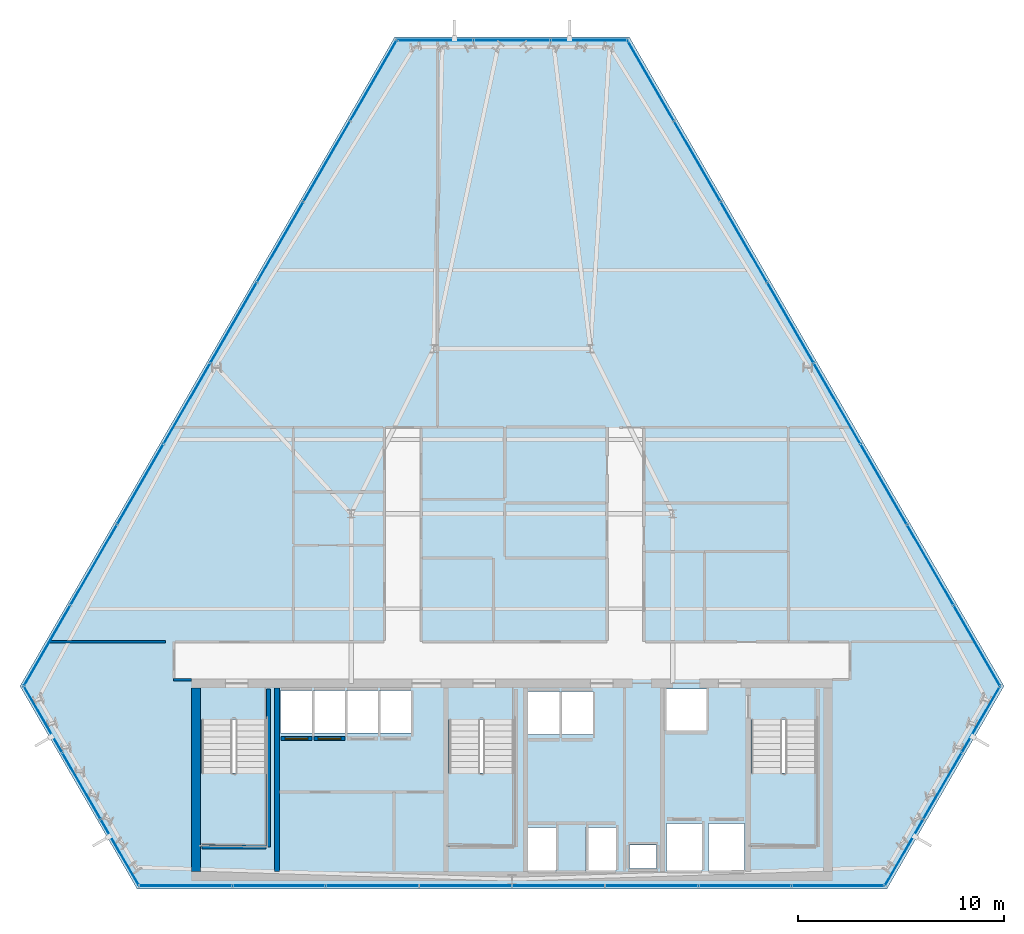
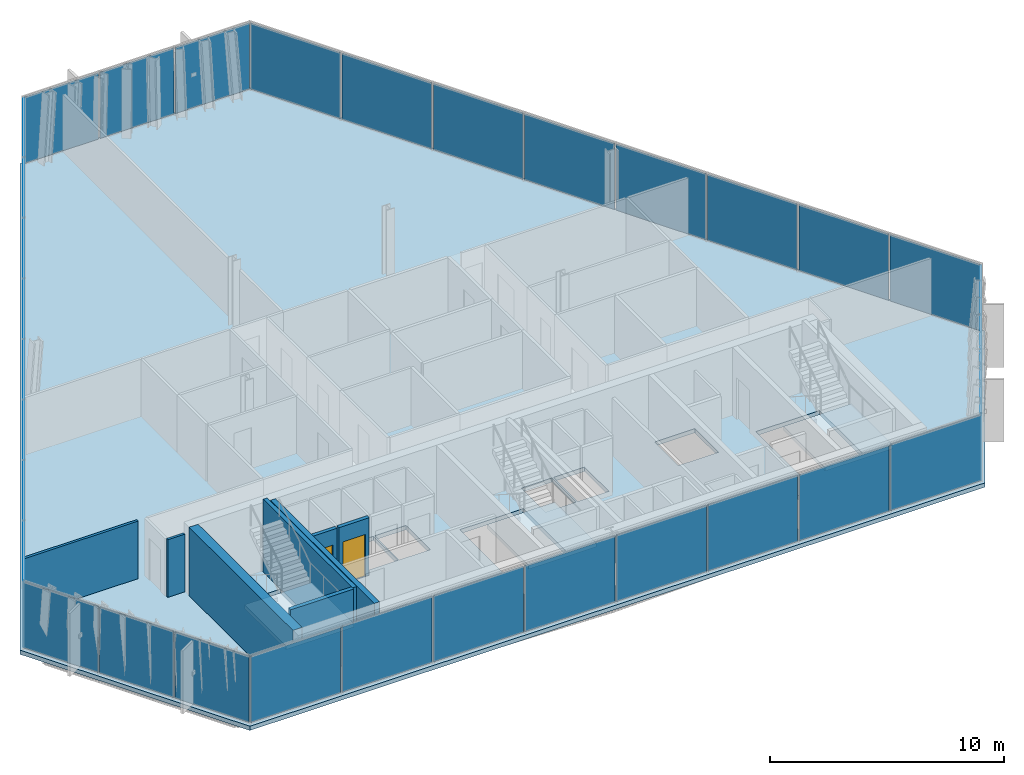
# One storey, part 25 of 32: 33 plates, 8 walls, 4 slabs, 2 doors, 2 openings, 9 elements without a shape of their own.
"""IFC4 building model written with IfcOpenShell, lengths in metres."""

from ifc_helpers import new_model, si_unit, direction, frame, frame_2d, origin, origin_2d, place, context, subcontext, project, spatial, polyline, rectangle, outline, extrude, material, layer, layer_set, type_object, element, fill, aggregate, save


model = new_model("IFC4")

# Units and contexts
model_context = context("Model", 3, precision=1e-05, world=origin(), true_north=direction((0.0, 1.0)))
body_context = subcontext(model_context, "Body", "Model", "MODEL_VIEW")
ifc_project = project(units=[si_unit("LENGTHUNIT", "METRE"), si_unit("AREAUNIT", "SQUARE_METRE"), si_unit("VOLUMEUNIT", "CUBIC_METRE"), si_unit("PLANEANGLEUNIT", "RADIAN"), si_unit("MASSUNIT", "GRAM", prefix="KILO")], contexts=[model_context])

# Site, building, storey
site_placement = place(None, origin())
site = spatial("IfcSite", under=ifc_project, at=site_placement, CompositionType="ELEMENT")
building_placement = place(site_placement, origin())
building = spatial("IfcBuilding", under=site, at=building_placement, Name="Ndaravel Arena Tower", CompositionType="ELEMENT")
storey_placement = place(building_placement, frame((0.0, 0.0, 157.39990234375)))
storey = spatial("IfcBuildingStorey", under=building, at=storey_placement, Name="L37", CompositionType="ELEMENT", Elevation=157.39990234375)

# Curtain wall, plate
ifc_material_1 = material(Name="Aluminium", Category="aluminium")
ifc_layer_1 = layer(ifc_material_1, 0.179931640625)
ifc_layer_set_1 = layer_set([ifc_layer_1], Name="Aluminium")
curtain_wall_type_1 = type_object("IfcCurtainWallType", Name="CW-SYS-01", PredefinedType="NOTDEFINED", material=ifc_layer_set_1)
curtain_wall_1_placement = place(storey_placement, origin())
curtain_wall_1 = element("IfcCurtainWall", 1, at=curtain_wall_1_placement, inside=storey, type_object=curtain_wall_type_1, Name="L37 Faceted Crystal Curtain Wall CW-L37-E02", PredefinedType="NOTDEFINED")
ifc_material_2 = material(Name="Glazing", Category="glass")
ifc_layer_2 = layer(ifc_material_2, 0.035888671875)
ifc_layer_set_2 = layer_set([ifc_layer_2], Name="Glazing")
plate_type_1 = type_object("IfcPlateType", Name="PLT-CW-OPVENT", PredefinedType="CURTAIN_PANEL", material=ifc_layer_set_2)
plate_1_placement = place(storey_placement, frame((62.87158203125, 10.002685546875, 0.06005859375), z_axis=(0.0, 0.0, 1.0), x_axis=(0.5, 0.866025403784, 0.0)))
plate_1 = element("IfcPlate", 2, at=plate_1_placement, type_object=plate_type_1, Name="CW-L37-E02 Operable Vent Sash Panel 02", PredefinedType="CURTAIN_PANEL", context=body_context, shape_type="SweptSolid", body=[
    extrude(rectangle(XDim=3.64794921875, YDim=0.035888671875, at=origin_2d()), origin(), (0.0, 0.0, 1.0), 3.4599609375),
])

curtain_wall_2_placement = place(storey_placement, origin())
curtain_wall_2 = element("IfcCurtainWall", 3, at=curtain_wall_2_placement, inside=storey, type_object=curtain_wall_type_1, Name="L37 Faceted Crystal Curtain Wall CW-L37-E04", PredefinedType="NOTDEFINED")
plate_2_placement = place(storey_placement, frame((42.0, 46.15380859375, 0.06005859375), z_axis=(0.0, 0.0, 1.0), x_axis=(-1.0, 0.0, 0.0)))
plate_2 = element("IfcPlate", 4, at=plate_2_placement, type_object=plate_type_1, Name="CW-L37-E04 Operable Vent Sash Panel 02", PredefinedType="CURTAIN_PANEL", context=body_context, shape_type="SweptSolid", body=[
    extrude(rectangle(XDim=3.64794921875, YDim=0.035888671875, at=origin_2d()), origin(), (0.0, 0.0, 1.0), 3.4599609375),
])

ifc_material_3 = material(Name="Aluminium", Category="aluminium")
ifc_layer_3 = layer(ifc_material_3, 0.179931640625)
ifc_layer_set_3 = layer_set([ifc_layer_3], Name="Aluminium")
curtain_wall_type_2 = type_object("IfcCurtainWallType", Name="CW-SYS-02", PredefinedType="NOTDEFINED", material=ifc_layer_set_3)
curtain_wall_3_placement = place(storey_placement, origin())
curtain_wall_3 = element("IfcCurtainWall", 5, at=curtain_wall_3_placement, inside=storey, type_object=curtain_wall_type_2, Name="L37 Faceted Crystal Curtain Wall CW-L37-E06", PredefinedType="NOTDEFINED")
plate_3_placement = place(storey_placement, frame((21.12841796875, 10.002685546875, 0.06005859375), z_axis=(0.0, 0.0, 1.0), x_axis=(0.5, -0.866025403784, 0.0)))
plate_3 = element("IfcPlate", 6, at=plate_3_placement, type_object=plate_type_1, Name="CW-L37-E06 Operable Vent Sash Panel 02", PredefinedType="CURTAIN_PANEL", context=body_context, shape_type="SweptSolid", body=[
    extrude(rectangle(XDim=3.64794921875, YDim=0.035888671875, at=origin_2d()), origin(), (0.0, 0.0, 1.0), 3.4599609375),
])

# Plate
ifc_material_4 = material(Name="Glazing", Category="glass")
ifc_layer_4 = layer(ifc_material_4, 0.031982421875)
ifc_layer_set_4 = layer_set([ifc_layer_4], Name="Glazing")
plate_type_2 = type_object("IfcPlateType", Name="PLT-GLZ-FRIT35", PredefinedType="CURTAIN_PANEL", material=ifc_layer_set_4)
plate_4_placement = place(storey_placement, frame((61.0078125, 6.774169921875, 0.06005859375), z_axis=(0.0, 0.0, 1.0), x_axis=(0.5, 0.866025403784, 0.0)))
plate_4 = element("IfcPlate", 7, at=plate_4_placement, type_object=plate_type_2, Name="CW-L37-E02 Vision Glass Panel 01", PredefinedType="CURTAIN_PANEL", context=body_context, shape_type="SweptSolid", body=[
    extrude(rectangle(XDim=3.64794921875, YDim=0.035888671875, at=origin_2d()), origin(), (0.0, 0.0, 1.0), 3.4599609375),
])

plate_5_placement = place(storey_placement, frame((64.735595703125, 13.231201171875, 0.06005859375), z_axis=(0.0, 0.0, 1.0), x_axis=(0.5, 0.866025403784, 0.0)))
plate_5 = element("IfcPlate", 8, at=plate_5_placement, type_object=plate_type_2, Name="CW-L37-E02 Vision Glass Panel 03", PredefinedType="CURTAIN_PANEL", context=body_context, shape_type="SweptSolid", body=[
    extrude(rectangle(XDim=3.64794921875, YDim=0.035888671875, at=origin_2d()), origin(), (0.0, 0.0, 1.0), 3.4599609375),
])

aggregate(curtain_wall_1, [plate_4, plate_1, plate_5])

plate_6_placement = place(storey_placement, frame((45.727783203125, 46.15380859375, 0.06005859375), z_axis=(0.0, 0.0, 1.0), x_axis=(-1.0, 0.0, 0.0)))
plate_6 = element("IfcPlate", 9, at=plate_6_placement, type_object=plate_type_2, Name="CW-L37-E04 Vision Glass Panel 01", PredefinedType="CURTAIN_PANEL", context=body_context, shape_type="SweptSolid", body=[
    extrude(rectangle(XDim=3.64794921875, YDim=0.035888671875, at=origin_2d()), origin(), (0.0, 0.0, 1.0), 3.4599609375),
])

plate_7_placement = place(storey_placement, frame((38.272216796875, 46.15380859375, 0.06005859375), z_axis=(0.0, 0.0, 1.0), x_axis=(-1.0, 0.0, 0.0)))
plate_7 = element("IfcPlate", 10, at=plate_7_placement, type_object=plate_type_2, Name="CW-L37-E04 Vision Glass Panel 03", PredefinedType="CURTAIN_PANEL", context=body_context, shape_type="SweptSolid", body=[
    extrude(rectangle(XDim=3.64794921875, YDim=0.035888671875, at=origin_2d()), origin(), (0.0, 0.0, 1.0), 3.4599609375),
])

aggregate(curtain_wall_2, [plate_6, plate_2, plate_7])

ifc_material_5 = material(Name="Glazing", Category="glass")
ifc_layer_5 = layer(ifc_material_5, 0.035888671875)
ifc_layer_set_5 = layer_set([ifc_layer_5], Name="Glazing")
plate_type_3 = type_object("IfcPlateType", Name="PLT-GLZ-FRIT55", PredefinedType="CURTAIN_PANEL", material=ifc_layer_set_5)
plate_8_placement = place(storey_placement, frame((19.264404296875, 13.231201171875, 0.06005859375), z_axis=(0.0, 0.0, 1.0), x_axis=(0.5, -0.866025403784, 0.0)))
plate_8 = element("IfcPlate", 11, at=plate_8_placement, type_object=plate_type_3, Name="CW-L37-E06 Vision Glass Panel 01", PredefinedType="CURTAIN_PANEL", context=body_context, shape_type="SweptSolid", body=[
    extrude(rectangle(XDim=3.64794921875, YDim=0.035888671875, at=origin_2d()), origin(), (0.0, 0.0, 1.0), 3.4599609375),
])

plate_9_placement = place(storey_placement, frame((22.9921875, 6.774169921875, 0.06005859375), z_axis=(0.0, 0.0, 1.0), x_axis=(0.5, -0.866025403784, 0.0)))
plate_9 = element("IfcPlate", 12, at=plate_9_placement, type_object=plate_type_3, Name="CW-L37-E06 Vision Glass Panel 03", PredefinedType="CURTAIN_PANEL", context=body_context, shape_type="SweptSolid", body=[
    extrude(rectangle(XDim=3.64794921875, YDim=0.035888671875, at=origin_2d()), origin(), (0.0, 0.0, 1.0), 3.4599609375),
])

aggregate(curtain_wall_3, [plate_8, plate_3, plate_9])

# Curtain wall, plates
ifc_material_6 = material(Name="Aluminium", Category="aluminium")
ifc_layer_6 = layer(ifc_material_6, 0.179931640625)
ifc_layer_set_6 = layer_set([ifc_layer_6], Name="Aluminium")
curtain_wall_type_3 = type_object("IfcCurtainWallType", Name="CW-SYS-03", PredefinedType="NOTDEFINED", material=ifc_layer_set_6)
curtain_wall_4_placement = place(storey_placement, origin())
curtain_wall_4 = element("IfcCurtainWall", 13, at=curtain_wall_4_placement, inside=storey, type_object=curtain_wall_type_3, Name="L37 Faceted Crystal Curtain Wall CW-L37-E01", PredefinedType="NOTDEFINED")
ifc_material_7 = material(Name="Glazing", Category="glass")
ifc_layer_7 = layer(ifc_material_7, 0.0400390625)
ifc_layer_set_7 = layer_set([ifc_layer_7], Name="Glazing")
plate_type_4 = type_object("IfcPlateType", Name="PLT-GLZ-LOWIRON", PredefinedType="CURTAIN_PANEL", material=ifc_layer_set_7)
plate_10_placement = place(storey_placement, frame((26.18359375, 5.159912109375, 0.06005859375), z_axis=(0.0, 0.0, 1.0), x_axis=(1.0, 0.0, 0.0)))
plate_10 = element("IfcPlate", 14, at=plate_10_placement, type_object=plate_type_4, Name="CW-L37-E01 Vision Glass Panel 01", PredefinedType="CURTAIN_PANEL", context=body_context, shape_type="SweptSolid", body=[
    extrude(rectangle(XDim=4.43896484375, YDim=0.035888671875, at=origin_2d()), origin(), (0.0, 0.0, 1.0), 3.4599609375),
])
plate_11_placement = place(storey_placement, frame((30.70263671875, 5.159912109375, 0.06005859375), z_axis=(0.0, 0.0, 1.0), x_axis=(1.0, 0.0, 0.0)))
plate_11 = element("IfcPlate", 15, at=plate_11_placement, type_object=plate_type_4, Name="CW-L37-E01 Vision Glass Panel 02", PredefinedType="CURTAIN_PANEL", context=body_context, shape_type="SweptSolid", body=[
    extrude(rectangle(XDim=4.43896484375, YDim=0.035888671875, at=origin_2d()), origin(), (0.0, 0.0, 1.0), 3.4599609375),
])
plate_12_placement = place(storey_placement, frame((35.2216796875, 5.159912109375, 0.06005859375), z_axis=(0.0, 0.0, 1.0), x_axis=(1.0, 0.0, 0.0)))
plate_12 = element("IfcPlate", 16, at=plate_12_placement, type_object=plate_type_4, Name="CW-L37-E01 Vision Glass Panel 03", PredefinedType="CURTAIN_PANEL", context=body_context, shape_type="SweptSolid", body=[
    extrude(rectangle(XDim=4.43896484375, YDim=0.035888671875, at=origin_2d()), origin(), (0.0, 0.0, 1.0), 3.4599609375),
])
plate_13_placement = place(storey_placement, frame((39.740478515625, 5.159912109375, 0.06005859375), z_axis=(0.0, 0.0, 1.0), x_axis=(1.0, 0.0, 0.0)))
plate_13 = element("IfcPlate", 17, at=plate_13_placement, type_object=plate_type_4, Name="CW-L37-E01 Vision Glass Panel 04", PredefinedType="CURTAIN_PANEL", context=body_context, shape_type="SweptSolid", body=[
    extrude(rectangle(XDim=4.43896484375, YDim=0.035888671875, at=origin_2d()), origin(), (0.0, 0.0, 1.0), 3.4599609375),
])
plate_14_placement = place(storey_placement, frame((44.259521484375, 5.159912109375, 0.06005859375), z_axis=(0.0, 0.0, 1.0), x_axis=(1.0, 0.0, 0.0)))
plate_14 = element("IfcPlate", 18, at=plate_14_placement, type_object=plate_type_4, Name="CW-L37-E01 Vision Glass Panel 05", PredefinedType="CURTAIN_PANEL", context=body_context, shape_type="SweptSolid", body=[
    extrude(rectangle(XDim=4.43896484375, YDim=0.035888671875, at=origin_2d()), origin(), (0.0, 0.0, 1.0), 3.4599609375),
])
plate_15_placement = place(storey_placement, frame((48.7783203125, 5.159912109375, 0.06005859375), z_axis=(0.0, 0.0, 1.0), x_axis=(1.0, 0.0, 0.0)))
plate_15 = element("IfcPlate", 19, at=plate_15_placement, type_object=plate_type_4, Name="CW-L37-E01 Vision Glass Panel 06", PredefinedType="CURTAIN_PANEL", context=body_context, shape_type="SweptSolid", body=[
    extrude(rectangle(XDim=4.43896484375, YDim=0.035888671875, at=origin_2d()), origin(), (0.0, 0.0, 1.0), 3.4599609375),
])
plate_16_placement = place(storey_placement, frame((53.29736328125, 5.159912109375, 0.06005859375), z_axis=(0.0, 0.0, 1.0), x_axis=(1.0, 0.0, 0.0)))
plate_16 = element("IfcPlate", 20, at=plate_16_placement, type_object=plate_type_4, Name="CW-L37-E01 Vision Glass Panel 07", PredefinedType="CURTAIN_PANEL", context=body_context, shape_type="SweptSolid", body=[
    extrude(rectangle(XDim=4.43896484375, YDim=0.035888671875, at=origin_2d()), origin(), (0.0, 0.0, 1.0), 3.4599609375),
])
plate_17_placement = place(storey_placement, frame((57.81640625, 5.159912109375, 0.06005859375), z_axis=(0.0, 0.0, 1.0), x_axis=(1.0, 0.0, 0.0)))
plate_17 = element("IfcPlate", 21, at=plate_17_placement, type_object=plate_type_4, Name="CW-L37-E01 Vision Glass Panel 08", PredefinedType="CURTAIN_PANEL", context=body_context, shape_type="SweptSolid", body=[
    extrude(rectangle(XDim=4.43896484375, YDim=0.035888671875, at=origin_2d()), origin(), (0.0, 0.0, 1.0), 3.4599609375),
])
aggregate(curtain_wall_4, [plate_10, plate_11, plate_12, plate_13, plate_14, plate_15, plate_16, plate_17])

curtain_wall_5_placement = place(storey_placement, origin())
curtain_wall_5 = element("IfcCurtainWall", 22, at=curtain_wall_5_placement, inside=storey, type_object=curtain_wall_type_3, Name="L37 Faceted Crystal Curtain Wall CW-L37-E03", PredefinedType="NOTDEFINED")
plate_18_placement = place(storey_placement, frame((64.5380859375, 16.80224609375, 0.06005859375), z_axis=(0.0, 0.0, 1.0), x_axis=(-0.5, 0.866025403784, 0.0)))
plate_18 = element("IfcPlate", 23, at=plate_18_placement, type_object=plate_type_4, Name="CW-L37-E03 Vision Glass Panel 01", PredefinedType="CURTAIN_PANEL", context=body_context, shape_type="SweptSolid", body=[
    extrude(rectangle(XDim=4.43896484375, YDim=0.035888671875, at=origin_2d()), origin(), (0.0, 0.0, 1.0), 3.4599609375),
])
plate_19_placement = place(storey_placement, frame((62.278564453125, 20.7158203125, 0.06005859375), z_axis=(0.0, 0.0, 1.0), x_axis=(-0.5, 0.866025403784, 0.0)))
plate_19 = element("IfcPlate", 24, at=plate_19_placement, type_object=plate_type_4, Name="CW-L37-E03 Vision Glass Panel 02", PredefinedType="CURTAIN_PANEL", context=body_context, shape_type="SweptSolid", body=[
    extrude(rectangle(XDim=4.43896484375, YDim=0.035888671875, at=origin_2d()), origin(), (0.0, 0.0, 1.0), 3.4599609375),
])
plate_20_placement = place(storey_placement, frame((60.01904296875, 24.629150390625, 0.06005859375), z_axis=(0.0, 0.0, 1.0), x_axis=(-0.5, 0.866025403784, 0.0)))
plate_20 = element("IfcPlate", 25, at=plate_20_placement, type_object=plate_type_4, Name="CW-L37-E03 Vision Glass Panel 03", PredefinedType="CURTAIN_PANEL", context=body_context, shape_type="SweptSolid", body=[
    extrude(rectangle(XDim=4.43896484375, YDim=0.035888671875, at=origin_2d()), origin(), (0.0, 0.0, 1.0), 3.4599609375),
])
plate_21_placement = place(storey_placement, frame((57.759521484375, 28.542724609375, 0.06005859375), z_axis=(0.0, 0.0, 1.0), x_axis=(-0.5, 0.866025403784, 0.0)))
plate_21 = element("IfcPlate", 26, at=plate_21_placement, type_object=plate_type_4, Name="CW-L37-E03 Vision Glass Panel 04", PredefinedType="CURTAIN_PANEL", context=body_context, shape_type="SweptSolid", body=[
    extrude(rectangle(XDim=4.43896484375, YDim=0.035888671875, at=origin_2d()), origin(), (0.0, 0.0, 1.0), 3.4599609375),
])
plate_22_placement = place(storey_placement, frame((55.5, 32.456298828125, 0.06005859375), z_axis=(0.0, 0.0, 1.0), x_axis=(-0.5, 0.866025403784, 0.0)))
plate_22 = element("IfcPlate", 27, at=plate_22_placement, type_object=plate_type_4, Name="CW-L37-E03 Vision Glass Panel 05", PredefinedType="CURTAIN_PANEL", context=body_context, shape_type="SweptSolid", body=[
    extrude(rectangle(XDim=4.43896484375, YDim=0.035888671875, at=origin_2d()), origin(), (0.0, 0.0, 1.0), 3.4599609375),
])
plate_23_placement = place(storey_placement, frame((53.240478515625, 36.369873046875, 0.06005859375), z_axis=(0.0, 0.0, 1.0), x_axis=(-0.5, 0.866025403784, 0.0)))
plate_23 = element("IfcPlate", 28, at=plate_23_placement, type_object=plate_type_4, Name="CW-L37-E03 Vision Glass Panel 06", PredefinedType="CURTAIN_PANEL", context=body_context, shape_type="SweptSolid", body=[
    extrude(rectangle(XDim=4.43896484375, YDim=0.035888671875, at=origin_2d()), origin(), (0.0, 0.0, 1.0), 3.4599609375),
])
plate_24_placement = place(storey_placement, frame((50.981201171875, 40.283447265625, 0.06005859375), z_axis=(0.0, 0.0, 1.0), x_axis=(-0.5, 0.866025403784, 0.0)))
plate_24 = element("IfcPlate", 29, at=plate_24_placement, type_object=plate_type_4, Name="CW-L37-E03 Vision Glass Panel 07", PredefinedType="CURTAIN_PANEL", context=body_context, shape_type="SweptSolid", body=[
    extrude(rectangle(XDim=4.43896484375, YDim=0.035888671875, at=origin_2d()), origin(), (0.0, 0.0, 1.0), 3.4599609375),
])
plate_25_placement = place(storey_placement, frame((48.7216796875, 44.197021484375, 0.06005859375), z_axis=(0.0, 0.0, 1.0), x_axis=(-0.5, 0.866025403784, 0.0)))
plate_25 = element("IfcPlate", 30, at=plate_25_placement, type_object=plate_type_4, Name="CW-L37-E03 Vision Glass Panel 08", PredefinedType="CURTAIN_PANEL", context=body_context, shape_type="SweptSolid", body=[
    extrude(rectangle(XDim=4.43896484375, YDim=0.035888671875, at=origin_2d()), origin(), (0.0, 0.0, 1.0), 3.4599609375),
])
aggregate(curtain_wall_5, [plate_18, plate_19, plate_20, plate_21, plate_22, plate_23, plate_24, plate_25])

curtain_wall_6_placement = place(storey_placement, origin())
curtain_wall_6 = element("IfcCurtainWall", 31, at=curtain_wall_6_placement, inside=storey, type_object=curtain_wall_type_3, Name="L37 Faceted Crystal Curtain Wall CW-L37-E05", PredefinedType="NOTDEFINED")
plate_26_placement = place(storey_placement, frame((35.2783203125, 44.197021484375, 0.06005859375), z_axis=(0.0, 0.0, 1.0), x_axis=(-0.5, -0.866025403784, 0.0)))
plate_26 = element("IfcPlate", 32, at=plate_26_placement, type_object=plate_type_4, Name="CW-L37-E05 Vision Glass Panel 01", PredefinedType="CURTAIN_PANEL", context=body_context, shape_type="SweptSolid", body=[
    extrude(rectangle(XDim=4.43896484375, YDim=0.035888671875, at=origin_2d()), origin(), (0.0, 0.0, 1.0), 3.4599609375),
])
plate_27_placement = place(storey_placement, frame((33.018798828125, 40.283447265625, 0.06005859375), z_axis=(0.0, 0.0, 1.0), x_axis=(-0.5, -0.866025403784, 0.0)))
plate_27 = element("IfcPlate", 33, at=plate_27_placement, type_object=plate_type_4, Name="CW-L37-E05 Vision Glass Panel 02", PredefinedType="CURTAIN_PANEL", context=body_context, shape_type="SweptSolid", body=[
    extrude(rectangle(XDim=4.43896484375, YDim=0.035888671875, at=origin_2d()), origin(), (0.0, 0.0, 1.0), 3.4599609375),
])
plate_28_placement = place(storey_placement, frame((30.759521484375, 36.369873046875, 0.06005859375), z_axis=(0.0, 0.0, 1.0), x_axis=(-0.5, -0.866025403784, 0.0)))
plate_28 = element("IfcPlate", 34, at=plate_28_placement, type_object=plate_type_4, Name="CW-L37-E05 Vision Glass Panel 03", PredefinedType="CURTAIN_PANEL", context=body_context, shape_type="SweptSolid", body=[
    extrude(rectangle(XDim=4.43896484375, YDim=0.035888671875, at=origin_2d()), origin(), (0.0, 0.0, 1.0), 3.4599609375),
])
plate_29_placement = place(storey_placement, frame((28.5, 32.456298828125, 0.06005859375), z_axis=(0.0, 0.0, 1.0), x_axis=(-0.5, -0.866025403784, 0.0)))
plate_29 = element("IfcPlate", 35, at=plate_29_placement, type_object=plate_type_4, Name="CW-L37-E05 Vision Glass Panel 04", PredefinedType="CURTAIN_PANEL", context=body_context, shape_type="SweptSolid", body=[
    extrude(rectangle(XDim=4.43896484375, YDim=0.035888671875, at=origin_2d()), origin(), (0.0, 0.0, 1.0), 3.4599609375),
])
plate_30_placement = place(storey_placement, frame((26.240478515625, 28.542724609375, 0.06005859375), z_axis=(0.0, 0.0, 1.0), x_axis=(-0.5, -0.866025403784, 0.0)))
plate_30 = element("IfcPlate", 36, at=plate_30_placement, type_object=plate_type_4, Name="CW-L37-E05 Vision Glass Panel 05", PredefinedType="CURTAIN_PANEL", context=body_context, shape_type="SweptSolid", body=[
    extrude(rectangle(XDim=4.43896484375, YDim=0.035888671875, at=origin_2d()), origin(), (0.0, 0.0, 1.0), 3.4599609375),
])
plate_31_placement = place(storey_placement, frame((23.98095703125, 24.629150390625, 0.06005859375), z_axis=(0.0, 0.0, 1.0), x_axis=(-0.5, -0.866025403784, 0.0)))
plate_31 = element("IfcPlate", 37, at=plate_31_placement, type_object=plate_type_4, Name="CW-L37-E05 Vision Glass Panel 06", PredefinedType="CURTAIN_PANEL", context=body_context, shape_type="SweptSolid", body=[
    extrude(rectangle(XDim=4.43896484375, YDim=0.035888671875, at=origin_2d()), origin(), (0.0, 0.0, 1.0), 3.4599609375),
])
plate_32_placement = place(storey_placement, frame((21.721435546875, 20.7158203125, 0.06005859375), z_axis=(0.0, 0.0, 1.0), x_axis=(-0.5, -0.866025403784, 0.0)))
plate_32 = element("IfcPlate", 38, at=plate_32_placement, type_object=plate_type_4, Name="CW-L37-E05 Vision Glass Panel 07", PredefinedType="CURTAIN_PANEL", context=body_context, shape_type="SweptSolid", body=[
    extrude(rectangle(XDim=4.43896484375, YDim=0.035888671875, at=origin_2d()), origin(), (0.0, 0.0, 1.0), 3.4599609375),
])
plate_33_placement = place(storey_placement, frame((19.4619140625, 16.80224609375, 0.06005859375), z_axis=(0.0, 0.0, 1.0), x_axis=(-0.5, -0.866025403784, 0.0)))
plate_33 = element("IfcPlate", 39, at=plate_33_placement, type_object=plate_type_4, Name="CW-L37-E05 Vision Glass Panel 08", PredefinedType="CURTAIN_PANEL", context=body_context, shape_type="SweptSolid", body=[
    extrude(rectangle(XDim=4.43896484375, YDim=0.035888671875, at=origin_2d()), origin(), (0.0, 0.0, 1.0), 3.4599609375),
])
aggregate(curtain_wall_6, [plate_26, plate_27, plate_28, plate_29, plate_30, plate_31, plate_32, plate_33])

# Stair, slab
ifc_material_8 = material(Name="Concrete C40/50", Category="concrete")
stair_type = type_object("IfcStairType", Name="STAIR-CORE-HT", PredefinedType="HALF_TURN_STAIR", material=ifc_material_8)
stair_1_placement = place(storey_placement, origin())
stair_1 = element("IfcStair", 40, at=stair_1_placement, inside=storey, type_object=stair_type, Name="L37 ST-1", PredefinedType="HALF_TURN_STAIR")
ifc_material_9 = material(Name="Concrete C40/50", Category="concrete")
ifc_layer_8 = layer(ifc_material_9, 0.199951171875)
ifc_layer_set_8 = layer_set([ifc_layer_8], Name="Concrete C40/50")
slab_type_1 = type_object("IfcSlabType", Name="SLAB-STAIR-LANDING", PredefinedType="LANDING", material=ifc_layer_set_8)
slab_1_placement = place(storey_placement, frame((0.0, 0.0, 1.7001953125)))
slab_1 = element("IfcSlab", 41, at=slab_1_placement, type_object=slab_type_1, Name="ST-1 landing 1", PredefinedType="LANDING", context=body_context, shape_type="SweptSolid", body=[
    extrude(outline(polyline([(26.81005859375, 10.6298828125), (26.81005859375, 7.070068359375), (30.169921875, 7.070068359375), (30.169921875, 10.6298828125), (26.81005859375, 10.6298828125)])), origin(), (0.0, 0.0, 1.0), 0.199951171875),
])
aggregate(stair_1, [slab_1])

stair_2_placement = place(storey_placement, origin())
stair_2 = element("IfcStair", 42, at=stair_2_placement, inside=storey, type_object=stair_type, Name="L37 ST-2", PredefinedType="HALF_TURN_STAIR")
slab_2_placement = place(storey_placement, frame((0.0, 0.0, 1.7001953125)))
slab_2 = element("IfcSlab", 43, at=slab_2_placement, type_object=slab_type_1, Name="ST-2 landing 1", PredefinedType="LANDING", context=body_context, shape_type="SweptSolid", body=[
    extrude(outline(polyline([(38.81005859375, 10.6298828125), (38.81005859375, 7.070068359375), (42.169921875, 7.070068359375), (42.169921875, 10.6298828125), (38.81005859375, 10.6298828125)])), origin(), (0.0, 0.0, 1.0), 0.199951171875),
])
aggregate(stair_2, [slab_2])

stair_3_placement = place(storey_placement, origin())
stair_3 = element("IfcStair", 44, at=stair_3_placement, inside=storey, type_object=stair_type, Name="L37 ST-3", PredefinedType="HALF_TURN_STAIR")
slab_3_placement = place(storey_placement, frame((0.0, 0.0, 1.7001953125)))
slab_3 = element("IfcSlab", 45, at=slab_3_placement, type_object=slab_type_1, Name="ST-3 landing 1", PredefinedType="LANDING", context=body_context, shape_type="SweptSolid", body=[
    extrude(outline(polyline([(53.4599609375, 10.6298828125), (53.4599609375, 7.070068359375), (56.820068359375, 7.070068359375), (56.820068359375, 10.6298828125), (53.4599609375, 10.6298828125)])), origin(), (0.0, 0.0, 1.0), 0.199951171875),
])
aggregate(stair_3, [slab_3])

# Slab
ifc_material_10 = material(Name="Concrete C40/50", Category="concrete")
ifc_layer_9 = layer(ifc_material_10, 0.219970703125)
ifc_layer_set_9 = layer_set([ifc_layer_9], Name="Concrete C40/50")
slab_type_2 = type_object("IfcSlabType", Name="SLAB-TWR-220", PredefinedType="FLOOR", material=ifc_layer_set_9)
slab_4_placement = place(storey_placement, frame((0.0, 0.0, -0.219970703125)))
element("IfcSlab", 46, at=slab_4_placement, inside=storey, type_object=slab_type_2, Name="L37 Structural Floor Slab", PredefinedType="FLOOR", context=body_context, shape_type="SweptSolid", body=[
    extrude(outline(polyline([(18.1474609375, 14.845458984375), (23.831787109375, 5.0), (60.168212890625, 5.0), (65.8525390625, 14.845458984375), (47.684326171875, 46.313720703125), (36.315673828125, 46.313720703125), (18.1474609375, 14.845458984375)]), holes=[polyline([(26.949951171875, 13.215087890625), (26.949951171875, 7.14990234375), (30.090087890625, 7.14990234375), (30.090087890625, 13.215087890625), (26.949951171875, 13.215087890625)]), polyline([(38.949951171875, 13.215087890625), (38.949951171875, 7.14990234375), (42.090087890625, 7.14990234375), (42.090087890625, 13.215087890625), (38.949951171875, 13.215087890625)]), polyline([(53.60009765625, 13.215087890625), (53.60009765625, 7.14990234375), (56.739990234375, 7.14990234375), (56.739990234375, 13.215087890625), (53.60009765625, 13.215087890625)]), polyline([(30.784912109375, 12.56005859375), (32.31494140625, 12.56005859375), (32.31494140625, 14.639892578125), (30.784912109375, 14.639892578125), (30.784912109375, 12.56005859375)]), polyline([(32.385009765625, 12.56005859375), (33.9150390625, 12.56005859375), (33.9150390625, 14.639892578125), (32.385009765625, 14.639892578125), (32.385009765625, 12.56005859375)]), polyline([(33.985107421875, 12.56005859375), (35.514892578125, 12.56005859375), (35.514892578125, 14.639892578125), (33.985107421875, 14.639892578125), (33.985107421875, 12.56005859375)]), polyline([(35.5849609375, 12.56005859375), (37.114990234375, 12.56005859375), (37.114990234375, 14.639892578125), (35.5849609375, 14.639892578125), (35.5849609375, 12.56005859375)]), polyline([(42.659912109375, 5.909912109375), (44.139892578125, 5.909912109375), (44.139892578125, 7.989990234375), (42.659912109375, 7.989990234375), (42.659912109375, 5.909912109375)]), polyline([(45.56005859375, 5.909912109375), (47.0400390625, 5.909912109375), (47.0400390625, 7.989990234375), (45.56005859375, 7.989990234375), (45.56005859375, 5.909912109375)]), polyline([(42.784912109375, 12.510009765625), (44.31494140625, 12.510009765625), (44.31494140625, 14.590087890625), (42.784912109375, 14.590087890625), (42.784912109375, 12.510009765625)]), polyline([(44.385009765625, 12.510009765625), (45.9150390625, 12.510009765625), (45.9150390625, 14.590087890625), (44.385009765625, 14.590087890625), (44.385009765625, 12.510009765625)]), polyline([(49.485107421875, 5.909912109375), (51.215087890625, 5.909912109375), (51.215087890625, 8.18994140625), (49.485107421875, 8.18994140625), (49.485107421875, 5.909912109375)]), polyline([(51.534912109375, 5.909912109375), (53.264892578125, 5.909912109375), (53.264892578125, 8.18994140625), (51.534912109375, 8.18994140625), (51.534912109375, 5.909912109375)]), polyline([(49.4599609375, 12.68505859375), (51.43994140625, 12.68505859375), (51.43994140625, 14.715087890625), (49.4599609375, 14.715087890625), (49.4599609375, 12.68505859375)]), polyline([(47.699951171875, 6.0), (49.0, 6.0), (49.0, 7.139892578125), (47.699951171875, 7.139892578125), (47.699951171875, 6.0)])]), origin(), (0.0, 0.0, 1.0), 0.219970703125),
])

# Walls
ifc_material_11 = material(Name="Concrete C60/75", Category="concrete")
ifc_layer_10 = layer(ifc_material_11, 0.25)
ifc_layer_set_10 = layer_set([ifc_layer_10], Name="Concrete C60/75")
wall_type_1 = type_object("IfcWallType", Name="WALL-CORE-250", PredefinedType="SOLIDWALL", material=ifc_layer_set_10)
wall_1_placement = place(storey_placement, frame((30.60009765625, 5.85009765625, 0.0), z_axis=(0.0, 0.0, 1.0), x_axis=(0.0, 1.0, 0.0)))
element("IfcWall", 47, at=wall_1_placement, inside=storey, type_object=wall_type_1, Name="L37 Core Web Shear Wall 1", PredefinedType="SOLIDWALL", context=body_context, shape_type="SweptSolid", body=[
    extrude(rectangle(XDim=8.89990234375, YDim=0.25, at=frame_2d((4.449951171875, 0.0))), origin(), (0.0, 0.0, 1.0), 3.580078125),
])
ifc_material_12 = material(Name="Concrete C60/75", Category="concrete")
ifc_layer_11 = layer(ifc_material_12, 0.449951171875)
ifc_layer_set_11 = layer_set([ifc_layer_11], Name="Concrete C60/75")
wall_type_2 = type_object("IfcWallType", Name="WALL-CORE-450", PredefinedType="SOLIDWALL", material=ifc_layer_set_11)
wall_2_placement = place(storey_placement, frame((26.675048828125, 5.85009765625, 0.0), z_axis=(0.0, 0.0, 1.0), x_axis=(0.0, 1.0, 0.0)))
element("IfcWall", 48, at=wall_2_placement, inside=storey, type_object=wall_type_2, Name="L37 Core West Shear Wall", PredefinedType="SOLIDWALL", context=body_context, shape_type="SweptSolid", body=[
    extrude(rectangle(XDim=8.89990234375, YDim=0.449951171875, at=frame_2d((4.449951171875, 0.0))), origin(), (0.0, 0.0, 1.0), 3.580078125),
])
ifc_material_13 = material(Name="Gypsum", Category="gypsum")
ifc_layer_12 = layer(ifc_material_13, 0.125)
ifc_layer_set_12 = layer_set([ifc_layer_12], Name="Gypsum")
wall_type_3 = type_object("IfcWallType", Name="WALL-PART-125", PredefinedType="PARTITIONING", material=ifc_layer_set_12)
wall_3_placement = place(storey_placement, frame((26.449951171875, 15.14990234375, 0.0), z_axis=(0.0, 0.0, 1.0), x_axis=(-1.0, 0.0, 0.0)))
element("IfcWall", 49, at=wall_3_placement, inside=storey, type_object=wall_type_3, Name="L37 Interior Partition 003", PredefinedType="PARTITIONING", context=body_context, shape_type="SweptSolid", body=[
    extrude(rectangle(XDim=0.849853515625, YDim=0.125, at=frame_2d((0.4248046875, 0.0))), origin(), (0.0, 0.0, 1.0), 3.010498046875),
])
wall_4_placement = place(storey_placement, frame((19.576171875, 17.0, 0.0), z_axis=(0.0, 0.0, 1.0), x_axis=(1.0, 0.0, 0.0)))
element("IfcWall", 50, at=wall_4_placement, inside=storey, type_object=wall_type_3, Name="L37 Interior Partition 026", PredefinedType="PARTITIONING", context=body_context, shape_type="SweptSolid", body=[
    extrude(rectangle(XDim=5.623779296875, YDim=0.125, at=frame_2d((2.81201171875, 0.0))), origin(), (0.0, 0.0, 1.0), 3.010498046875),
])
ifc_material_14 = material(Name="Concrete C40/50", Category="concrete")
ifc_layer_13 = layer(ifc_material_14, 0.199951171875)
ifc_layer_set_13 = layer_set([ifc_layer_13], Name="Concrete C40/50")
wall_type_4 = type_object("IfcWallType", Name="WALL-SHAFT-200", PredefinedType="SOLIDWALL", material=ifc_layer_set_13)
wall_5_placement = place(storey_placement, frame((30.18994140625, 14.699951171875, 0.0), z_axis=(0.0, 0.0, 1.0), x_axis=(0.0, -1.0, 0.0)))
element("IfcWall", 51, at=wall_5_placement, inside=storey, type_object=wall_type_4, Name="L37 ST-1 Structural Shaft Wall Right", PredefinedType="SOLIDWALL", context=body_context, shape_type="SweptSolid", body=[
    extrude(rectangle(XDim=7.64990234375, YDim=0.199951171875, at=frame_2d((3.824951171875, 0.0))), origin(), (0.0, 0.0, 1.0), 3.800048828125),
])
wall_6_placement = place(storey_placement, frame((26.969970703125, 7.050048828125, 0.0), z_axis=(0.0, 0.0, 1.0), x_axis=(1.0, 0.0, 0.0)))
element("IfcWall", 52, at=wall_6_placement, inside=storey, type_object=wall_type_4, Name="L37 ST-1 Structural Shaft Wall Far", PredefinedType="SOLIDWALL", context=body_context, shape_type="SweptSolid", body=[
    extrude(rectangle(XDim=3.114990234375, YDim=0.199951171875, at=frame_2d((1.5576171875, 0.0))), origin(), (0.0, 0.0, 1.0), 3.800048828125),
])

# Wall, opening, door
wall_7_placement = place(storey_placement, frame((30.804931640625, 12.300048828125, 0.0), z_axis=(0.0, 0.0, 1.0), x_axis=(1.0, 0.0, 0.0)))
wall_7 = element("IfcWall", 53, at=wall_7_placement, inside=storey, type_object=wall_type_4, Name="L37 PL-M1 Shaft Landing Wall", PredefinedType="SOLIDWALL", context=body_context, shape_type="SweptSolid", body=[
    extrude(rectangle(XDim=1.489990234375, YDim=0.179931640625, at=frame_2d((0.7451171875, 0.0))), origin(), (0.0, 0.0, 1.0), 3.010498046875),
])
opening_1_placement = place(wall_7_placement, frame((0.195068359375, 0.0, 0.0)))
opening_1 = element("IfcOpeningElement", 54, at=opening_1_placement, cuts=wall_7, Name="Opening LD-01", PredefinedType="OPENING", context=body_context, shape_type="SweptSolid", body=[
    extrude(rectangle(XDim=1.10009765625, YDim=2.199951171875, at=frame_2d((0.550048828125, 1.10009765625))), frame((0.0, 0.08984375, 0.0), z_axis=(0.0, -1.0, 0.0), x_axis=(1.0, 0.0, 0.0)), (0.0, 0.0, 1.0), 0.179931640625),
])
ifc_material_15 = material(Name="Steel S355", Category="steel")
door_type = type_object("IfcDoorType", Name="DT-06-LIFT-1100", OperationType="SLIDING_TO_LEFT", PredefinedType="DOOR", material=ifc_material_15)
door_1_placement = place(opening_1_placement, origin())
door_1 = element("IfcDoor", 55, at=door_1_placement, inside=storey, type_object=door_type, Name="L37 Lift PL-M1 Sliding Landing Door", OperationType="SLIDING_TO_LEFT", OverallHeight=2.199951171875, OverallWidth=1.10009765625, PredefinedType="DOOR", context=body_context, shape_type="SweptSolid", body=[
    extrude(rectangle(XDim=1.10009765625, YDim=2.199951171875, at=frame_2d((0.550048828125, 1.10009765625))), frame((0.0, 0.02490234375, 0.0), z_axis=(0.0, -1.0, 0.0), x_axis=(1.0, 0.0, 0.0)), (0.0, 0.0, 1.0), 0.050048828125),
])
fill(opening_1, door_1)

wall_8_placement = place(storey_placement, frame((32.405029296875, 12.300048828125, 0.0), z_axis=(0.0, 0.0, 1.0), x_axis=(1.0, 0.0, 0.0)))
wall_8 = element("IfcWall", 56, at=wall_8_placement, inside=storey, type_object=wall_type_4, Name="L37 PL-M2 Shaft Landing Wall", PredefinedType="SOLIDWALL", context=body_context, shape_type="SweptSolid", body=[
    extrude(rectangle(XDim=1.489990234375, YDim=0.179931640625, at=frame_2d((0.7451171875, 0.0))), origin(), (0.0, 0.0, 1.0), 3.010498046875),
])
opening_2_placement = place(wall_8_placement, frame((0.195068359375, 0.0, 0.0)))
opening_2 = element("IfcOpeningElement", 57, at=opening_2_placement, cuts=wall_8, Name="Opening LD-01", PredefinedType="OPENING", context=body_context, shape_type="SweptSolid", body=[
    extrude(rectangle(XDim=1.10009765625, YDim=2.199951171875, at=frame_2d((0.550048828125, 1.10009765625))), frame((0.0, 0.08984375, 0.0), z_axis=(0.0, -1.0, 0.0), x_axis=(1.0, 0.0, 0.0)), (0.0, 0.0, 1.0), 0.179931640625),
])
door_2_placement = place(opening_2_placement, origin())
door_2 = element("IfcDoor", 58, at=door_2_placement, inside=storey, type_object=door_type, Name="L37 Lift PL-M2 Sliding Landing Door", OperationType="SLIDING_TO_LEFT", OverallHeight=2.199951171875, OverallWidth=1.10009765625, PredefinedType="DOOR", context=body_context, shape_type="SweptSolid", body=[
    extrude(rectangle(XDim=1.10009765625, YDim=2.199951171875, at=frame_2d((0.550048828125, 1.10009765625))), frame((0.0, 0.02490234375, 0.0), z_axis=(0.0, -1.0, 0.0), x_axis=(1.0, 0.0, 0.0)), (0.0, 0.0, 1.0), 0.050048828125),
])
fill(opening_2, door_2)

save(model, "model.ifc")
